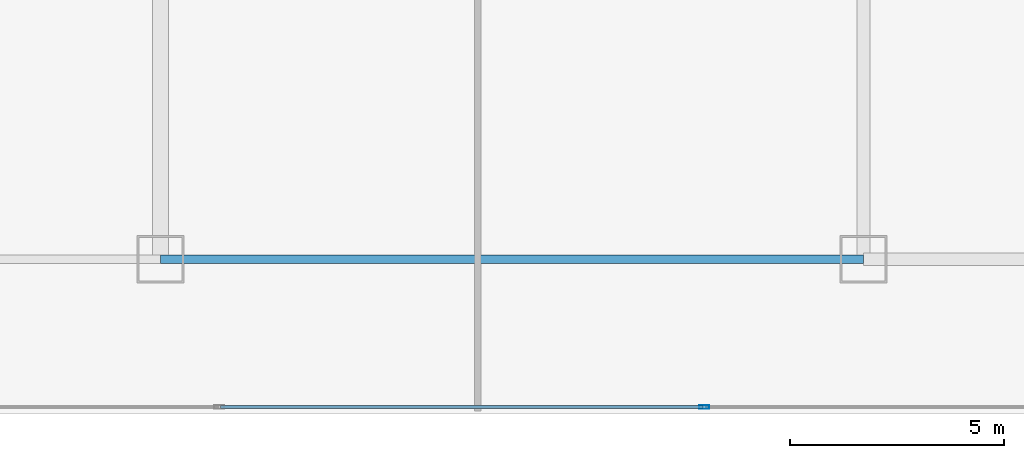
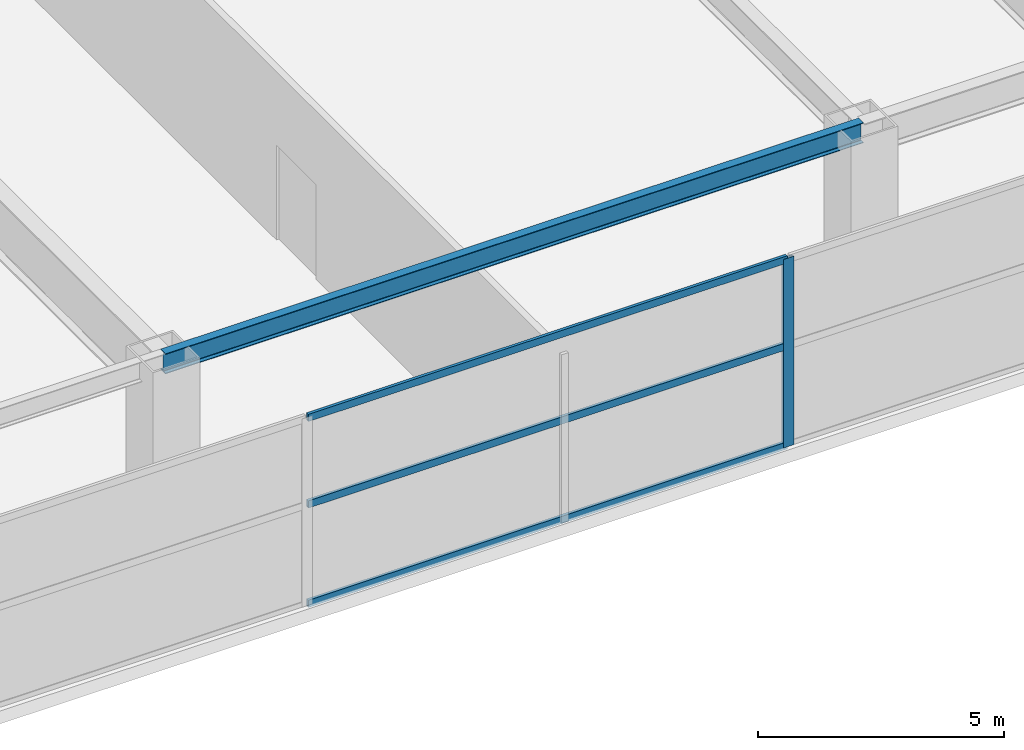
# One storey, part 21 of 35: 4 members, 1 beam, 1 element without a shape of its own.
"""IFC4 building model written with IfcOpenShell, lengths in metres."""

from ifc_helpers import new_model, si_unit, direction, frame, origin, origin_2d, place, context, subcontext, project, spatial, hollow_rectangle, i_section, extrude, material, layer, layer_set, material_profile, profile_set, type_object, element, aggregate, save


model = new_model("IFC4")

# Units and contexts
model_context = context("Model", 3, precision=1e-05, world=origin(), true_north=direction((0.0, 1.0)))
body_context = subcontext(model_context, "Body", "Model", "MODEL_VIEW")
ifc_project = project(units=[si_unit("LENGTHUNIT", "METRE"), si_unit("AREAUNIT", "SQUARE_METRE"), si_unit("VOLUMEUNIT", "CUBIC_METRE"), si_unit("PLANEANGLEUNIT", "RADIAN"), si_unit("MASSUNIT", "GRAM", prefix="KILO")], contexts=[model_context])

# Site, building, storey
site_placement = place(None, origin())
site = spatial("IfcSite", under=ifc_project, at=site_placement, CompositionType="ELEMENT")
building_placement = place(site_placement, origin())
building = spatial("IfcBuilding", under=site, at=building_placement, Name="Calvorn Quay Hotel", CompositionType="ELEMENT")
storey_placement = place(building_placement, frame((0.0, 0.0, 12.0)))
storey = spatial("IfcBuildingStorey", under=building, at=storey_placement, Name="L02", CompositionType="ELEMENT", Elevation=12.0)

# Beam
ifc_material_1 = material(Name="Steel Q355B", Category="steel")
ifc_material_profile_1 = material_profile(ifc_material_1, i_section(OverallWidth=0.199951171875, OverallDepth=0.5, WebThickness=0.010009765625, FlangeThickness=0.01611328125, FilletRadius=0.01611328125, at=origin_2d()), Name="HN500x200x10x16")
ifc_profile_set_1 = profile_set([ifc_material_profile_1], Name="Steel Q355B")
beam_type = type_object("IfcBeamType", Name="BM-SPANDREL-Z1", PredefinedType="SPANDREL", material=ifc_profile_set_1)
beam_placement = place(storey_placement, frame((57.60009765625, 3.60009765625, 4.429931640625), z_axis=(1.0, 0.0, 0.0), x_axis=(0.0, 1.0, 0.0)))
element("IfcBeam", 1, at=beam_placement, inside=storey, type_object=beam_type, Name="Beam BSP-L02-S6", PredefinedType="SPANDREL", context=body_context, shape_type="SweptSolid", body=[
    extrude(i_section(OverallWidth=0.199951171875, OverallDepth=0.5, WebThickness=0.010009765625, FlangeThickness=0.01611328125, FilletRadius=0.01611328125, at=origin_2d()), origin(), (0.0, 0.0, 1.0), 16.39990234375),
])

# Curtain wall, members
ifc_material_2 = material(Name="Pale Anodised Aluminium and Low-E Glass", Category="aluminium")
ifc_layer = layer(ifc_material_2, 0.219970703125)
ifc_layer_set = layer_set([ifc_layer], Name="CW-SYS-POD")
curtain_wall_type = type_object("IfcCurtainWallType", Name="CW-SYS-POD", PredefinedType="NOTDEFINED", material=ifc_layer_set)
curtain_wall_placement = place(storey_placement, origin())
curtain_wall = element("IfcCurtainWall", 2, at=curtain_wall_placement, inside=storey, type_object=curtain_wall_type, Name="Podium Curtain Wall L02-S1", PredefinedType="NOTDEFINED")
ifc_material_3 = material(Name="Pale Anodised Aluminium 6063-T6", Category="aluminium")
ifc_material_profile_2 = material_profile(ifc_material_3, hollow_rectangle(XDim=0.080078125, YDim=0.239990234375, WallThickness=0.0048828125, at=origin_2d()), Name="ALU-M240x80x5")
ifc_profile_set_2 = profile_set([ifc_material_profile_2], Name="Pale Anodised Aluminium 6063-T6")
member_type_1 = type_object("IfcMemberType", Name="CW-SYS-POD-MUL", PredefinedType="MULLION", material=ifc_profile_set_2)
member_1_placement = place(storey_placement, frame((70.28564453125, 0.14990234375, 0.0), z_axis=(0.0, 0.0, 1.0), x_axis=(0.0, 1.0, 0.0)))
member_1 = element("IfcMember", 3, at=member_1_placement, type_object=member_type_1, Name="CW-L02-S1 mullion 7", PredefinedType="MULLION", context=body_context, shape_type="SweptSolid", body=[
    extrude(hollow_rectangle(XDim=0.080078125, YDim=0.239990234375, WallThickness=0.0048828125, at=origin_2d()), origin(), (0.0, 0.0, 1.0), 4.679931640625),
])
ifc_material_4 = material(Name="Pale Anodised Aluminium 6063-T6", Category="aluminium")
ifc_material_profile_3 = material_profile(ifc_material_4, hollow_rectangle(XDim=0.070068359375, YDim=0.179931640625, WallThickness=0.00390625, at=origin_2d()), Name="ALU-T180x70x4")
ifc_profile_set_3 = profile_set([ifc_material_profile_3], Name="Pale Anodised Aluminium 6063-T6")
member_type_2 = type_object("IfcMemberType", Name="CW-SYS-POD-TRN", PredefinedType="USERDEFINED", material=ifc_profile_set_3)
member_2_placement = place(storey_placement, frame((59.00146484375, 0.14990234375, 0.030029296875), z_axis=(1.0, 0.0, 0.0), x_axis=(0.0, 1.0, 0.0)))
member_2 = element("IfcMember", 4, at=member_2_placement, type_object=member_type_2, Name="CW-L02-S1 transom 6.1", ObjectType="TRANSOM", PredefinedType="USERDEFINED", context=body_context, shape_type="SweptSolid", body=[
    extrude(hollow_rectangle(XDim=0.070068359375, YDim=0.179931640625, WallThickness=0.00390625, at=origin_2d()), origin(), (0.0, 0.0, 1.0), 11.254150390625),
])
member_3_placement = place(storey_placement, frame((59.00146484375, 0.14990234375, 2.5), z_axis=(1.0, 0.0, 0.0), x_axis=(0.0, 1.0, 0.0)))
member_3 = element("IfcMember", 5, at=member_3_placement, type_object=member_type_2, Name="CW-L02-S1 transom 6.2", ObjectType="TRANSOM", PredefinedType="USERDEFINED", context=body_context, shape_type="SweptSolid", body=[
    extrude(hollow_rectangle(XDim=0.070068359375, YDim=0.179931640625, WallThickness=0.00390625, at=origin_2d()), origin(), (0.0, 0.0, 1.0), 11.254150390625),
])
member_4_placement = place(storey_placement, frame((59.00146484375, 0.14990234375, 4.64990234375), z_axis=(1.0, 0.0, 0.0), x_axis=(0.0, 1.0, 0.0)))
member_4 = element("IfcMember", 6, at=member_4_placement, type_object=member_type_2, Name="CW-L02-S1 transom 6.3", ObjectType="TRANSOM", PredefinedType="USERDEFINED", context=body_context, shape_type="SweptSolid", body=[
    extrude(hollow_rectangle(XDim=0.070068359375, YDim=0.179931640625, WallThickness=0.00390625, at=origin_2d()), origin(), (0.0, 0.0, 1.0), 11.254150390625),
])
aggregate(curtain_wall, [member_1, member_2, member_3, member_4])

save(model, "model.ifc")
